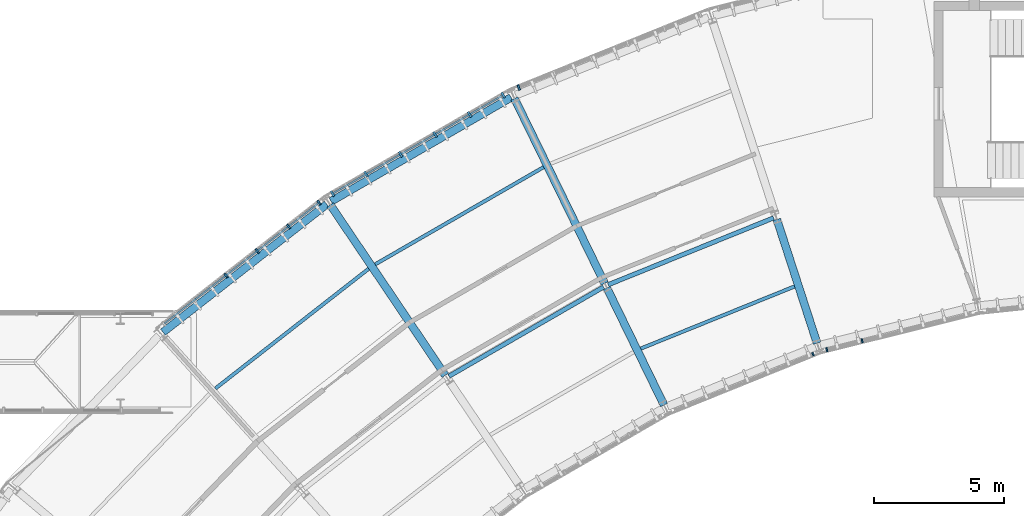
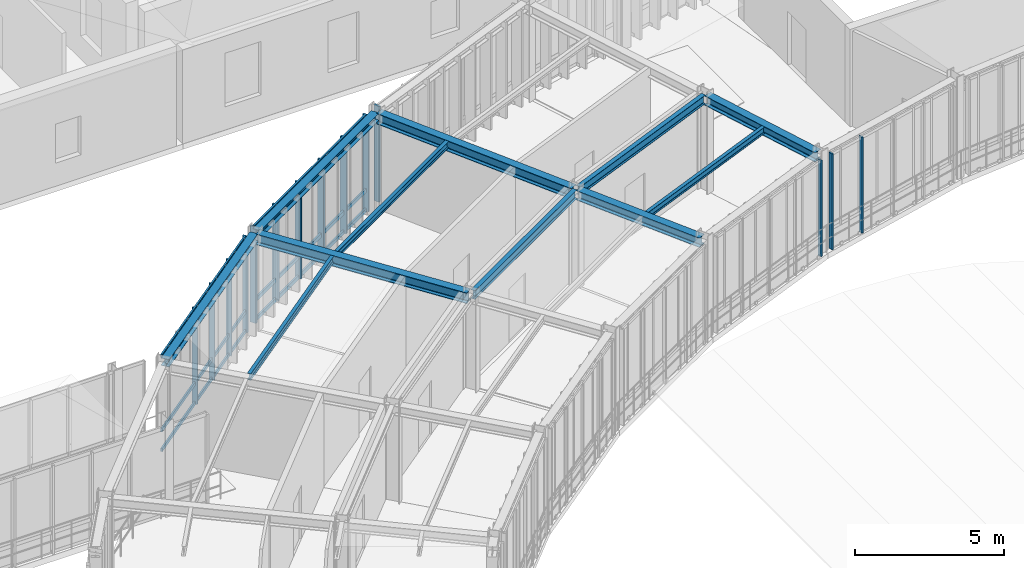
# One storey, part 22 of 57: 20 members, 11 beams, 5 elements without a shape of their own.
"""IFC4 building model written with IfcOpenShell, lengths in metres."""

from ifc_helpers import new_model, si_unit, direction, frame, origin, origin_2d, place, context, subcontext, project, spatial, rectangle, i_section, extrude, material, layer, layer_set, material_profile, profile_set, type_object, element, aggregate, save


model = new_model("IFC4")

# Units and contexts
model_context = context("Model", 3, precision=1e-05, world=origin(), true_north=direction((0.0, 1.0)))
body_context = subcontext(model_context, "Body", "Model", "MODEL_VIEW")
ifc_project = project(units=[si_unit("LENGTHUNIT", "METRE"), si_unit("AREAUNIT", "SQUARE_METRE"), si_unit("VOLUMEUNIT", "CUBIC_METRE"), si_unit("PLANEANGLEUNIT", "RADIAN"), si_unit("MASSUNIT", "GRAM", prefix="KILO"), si_unit("THERMODYNAMICTEMPERATUREUNIT", "KELVIN"), si_unit("POWERUNIT", "WATT")], contexts=[model_context])

# Site, building, storey
site_placement = place(None, origin())
site = spatial("IfcSite", under=ifc_project, at=site_placement, CompositionType="ELEMENT")
building_placement = place(site_placement, origin())
building = spatial("IfcBuilding", under=site, at=building_placement, Name="Solvatero Civic Police Headquarters", CompositionType="ELEMENT")
storey_placement = place(building_placement, frame((0.0, 0.0, 9.300048828125)))
storey = spatial("IfcBuildingStorey", under=building, at=storey_placement, Name="L02", CompositionType="ELEMENT", Elevation=9.300048828125)

# Beams
ifc_material_1 = material(Name="Steel S355", Category="steel")
ifc_material_profile_1 = material_profile(ifc_material_1, i_section(OverallWidth=0.300048828125, OverallDepth=0.31005859375, WebThickness=0.009033203125, FlangeThickness=0.015380859375, FilletRadius=0.027099609375, at=origin_2d()), Name="HEA 320")
ifc_profile_set_1 = profile_set([ifc_material_profile_1], Name="Steel S355")
beam_type_1 = type_object("IfcBeamType", Name="BM-ST-HEA320", PredefinedType="SPANDREL", material=ifc_profile_set_1)
for number, where, z_axis, x_axis, name in (
    (1, (68.202880859375, 78.664306640625, 3.844970703125), (-0.866028717572, -0.499994260308, 0.0), (0.499994260308, -0.866028717572, 0.0), "Perimeter / radial spandrel beam BM-R2-L02-ARC-COUT-B05"),
    (2, (61.12451171875, 74.5615234375, 3.844970703125), (-0.788008144593, -0.615664814696, 0.0), (0.615664814696, -0.788008144593, 0.0), "Perimeter / radial spandrel beam BM-R2-L02-ARC-COUT-B06"),
):
    element("IfcBeam", number, at=place(storey_placement, frame(where, z_axis=z_axis, x_axis=x_axis)), inside=storey, type_object=beam_type_1, Name=name, PredefinedType="SPANDREL", context=body_context, shape_type="SweptSolid", body=[
        extrude(i_section(OverallWidth=0.300048828125, OverallDepth=0.31005859375, WebThickness=0.009033203125, FlangeThickness=0.015380859375, FilletRadius=0.027099609375, at=origin_2d()), origin(), (0.0, 0.0, 1.0), 7.982421875),
    ])
ifc_material_profile_2 = material_profile(ifc_material_1, i_section(OverallWidth=0.300048828125, OverallDepth=0.389892578125, WebThickness=0.010986328125, FlangeThickness=0.01904296875, FilletRadius=0.027099609375, at=origin_2d()), Name="HEA 400")
ifc_profile_set_2 = profile_set([ifc_material_profile_2], Name="Steel S355")
beam_type_2 = type_object("IfcBeamType", Name="BM-ST-HEA400", PredefinedType="BEAM", material=ifc_profile_set_2)
beam_1_placement = place(storey_placement, frame((79.955078125, 69.2255859375, 3.804931640625), z_axis=(-0.308996636599, 0.951063130697, 0.0), x_axis=(-0.951063130697, -0.308996636599, 0.0)))
element("IfcBeam", 3, at=beam_1_placement, inside=storey, type_object=beam_type_2, Name="Primary girder BM-R2-L02-ARC-RAD1-S03", PredefinedType="BEAM", context=body_context, shape_type="SweptSolid", body=[
    extrude(i_section(OverallWidth=0.300048828125, OverallDepth=0.389892578125, WebThickness=0.010986328125, FlangeThickness=0.01904296875, FilletRadius=0.027099609375, at=origin_2d()), origin(), (0.0, 0.0, 1.0), 4.999755859375),
])
beam_2_placement = place(storey_placement, frame((74.076171875, 66.85009765625, 3.804931640625), z_axis=(-0.438422670017, 0.898768914914, 0.0), x_axis=(-0.898768914914, -0.438422670017, 0.0)))
element("IfcBeam", 4, at=beam_2_placement, inside=storey, type_object=beam_type_2, Name="Primary girder BM-R2-L02-ARC-RAD1-S04", PredefinedType="BEAM", context=body_context, shape_type="SweptSolid", body=[
    extrude(i_section(OverallWidth=0.300048828125, OverallDepth=0.389892578125, WebThickness=0.010986328125, FlangeThickness=0.01904296875, FilletRadius=0.027099609375, at=origin_2d()), origin(), (0.0, 0.0, 1.0), 5.0),
])
ifc_material_profile_3 = material_profile(ifc_material_1, i_section(OverallWidth=0.300048828125, OverallDepth=0.43994140625, WebThickness=0.011474609375, FlangeThickness=0.02099609375, FilletRadius=0.027099609375, at=origin_2d()), Name="HEA 450")
ifc_profile_set_3 = profile_set([ifc_material_profile_3], Name="Steel S355")
beam_type_3 = type_object("IfcBeamType", Name="BM-ST-HEA450", PredefinedType="BEAM", material=ifc_profile_set_3)
for number, where, z_axis, x_axis, name in (
    (5, (71.79638671875, 71.52392578125, 3.780029296875), (-0.438365789194, 0.898796659353, 0.0), (-0.898796659353, -0.438365789194, 0.0), "Primary girder BM-R2-L02-ARC-RAD2-S04"),
    (6, (65.677001953125, 67.99072265625, 3.780029296875), (-0.559192054274, 0.829038145345, 0.0), (-0.829038145345, -0.559192054274, 0.0), "Primary girder BM-R2-L02-ARC-RAD2-S05"),
):
    element("IfcBeam", number, at=place(storey_placement, frame(where, z_axis=z_axis, x_axis=x_axis)), inside=storey, type_object=beam_type_3, Name=name, PredefinedType="BEAM", context=body_context, shape_type="SweptSolid", body=[
        extrude(i_section(OverallWidth=0.300048828125, OverallDepth=0.43994140625, WebThickness=0.011474609375, FlangeThickness=0.02099609375, FilletRadius=0.027099609375, at=origin_2d()), origin(), (0.0, 0.0, 1.0), 7.900146484375),
    ])
ifc_material_profile_4 = material_profile(ifc_material_1, i_section(OverallWidth=0.135009765625, OverallDepth=0.27001953125, WebThickness=0.006591796875, FlangeThickness=0.01025390625, FilletRadius=0.014892578125, at=origin_2d()), Name="IPE 270")
ifc_profile_set_4 = profile_set([ifc_material_profile_4], Name="Steel S355")
beam_type_4 = type_object("IfcBeamType", Name="BM-ST-IPE270", PredefinedType="BEAM", material=ifc_profile_set_4)
beam_3_placement = place(storey_placement, frame((79.08984375, 71.404296875, 3.864990234375), z_axis=(-0.927180902573, -0.374613899774, 0.0), x_axis=(0.374613899774, -0.927180902573, 0.0)))
element("IfcBeam", 7, at=beam_3_placement, inside=storey, type_object=beam_type_4, Name="Composite floor beam BM-R2-L02-ARC-CS1-B04", PredefinedType="BEAM", context=body_context, shape_type="SweptSolid", body=[
    extrude(i_section(OverallWidth=0.135009765625, OverallDepth=0.27001953125, WebThickness=0.006591796875, FlangeThickness=0.01025390625, FilletRadius=0.014892578125, at=origin_2d()), origin(), (0.0, 0.0, 1.0), 6.36865234375),
])
for number, where, z_axis, x_axis, name in (
    (8, (69.452880859375, 75.98779296875, 3.864990234375), (-0.866030490612, -0.499991189252, 0.0), (0.499991189252, -0.866030490612, 0.0), "Composite floor beam BM-R2-L02-ARC-CS2-B05"),
    (9, (62.73486328125, 72.085205078125, 3.864990234375), (-0.78800951062, -0.615663066272, 0.0), (0.615663066272, -0.78800951062, 0.0), "Composite floor beam BM-R2-L02-ARC-CS2-B06"),
):
    element("IfcBeam", number, at=place(storey_placement, frame(where, z_axis=z_axis, x_axis=x_axis)), inside=storey, type_object=beam_type_4, Name=name, PredefinedType="BEAM", context=body_context, shape_type="SweptSolid", body=[
        extrude(i_section(OverallWidth=0.135009765625, OverallDepth=0.27001953125, WebThickness=0.006591796875, FlangeThickness=0.01025390625, FilletRadius=0.014892578125, at=origin_2d()), origin(), (0.0, 0.0, 1.0), 7.470947265625),
    ])
ifc_material_profile_5 = material_profile(ifc_material_1, i_section(OverallWidth=0.169921875, OverallDepth=0.360107421875, WebThickness=0.008056640625, FlangeThickness=0.0126953125, FilletRadius=0.01806640625, at=origin_2d()), Name="IPE 360")
ifc_profile_set_5 = profile_set([ifc_material_profile_5], Name="Steel S355")
beam_type_5 = type_object("IfcBeamType", Name="BM-ST-IPE360", PredefinedType="BEAM", material=ifc_profile_set_5)
beam_4_placement = place(storey_placement, frame((78.28662109375, 74.038330078125, 3.820068359375), z_axis=(-0.927188538339, -0.374595000465, 0.0), x_axis=(0.374595000465, -0.927188538339, 0.0)))
element("IfcBeam", 10, at=beam_4_placement, inside=storey, type_object=beam_type_5, Name="Composite floor beam BM-R2-L02-ARC-CMID-B04", PredefinedType="BEAM", context=body_context, shape_type="SweptSolid", body=[
    extrude(i_section(OverallWidth=0.169921875, OverallDepth=0.360107421875, WebThickness=0.008056640625, FlangeThickness=0.0126953125, FilletRadius=0.01806640625, at=origin_2d()), origin(), (0.0, 0.0, 1.0), 6.8525390625),
])
beam_5_placement = place(storey_placement, frame((71.753662109375, 71.384033203125, 3.820068359375), z_axis=(-0.866020050267, -0.50000927245, 0.0), x_axis=(0.50000927245, -0.866020050267, 0.0)))
element("IfcBeam", 11, at=beam_5_placement, inside=storey, type_object=beam_type_5, Name="Composite floor beam BM-R2-L02-ARC-CMID-B05", PredefinedType="BEAM", context=body_context, shape_type="SweptSolid", body=[
    extrude(i_section(OverallWidth=0.169921875, OverallDepth=0.360107421875, WebThickness=0.008056640625, FlangeThickness=0.0126953125, FilletRadius=0.01806640625, at=origin_2d()), origin(), (0.0, 0.0, 1.0), 6.852294921875),
])

# Curtain wall, members
ifc_material_2 = material(Name="Anodized Bronze Aluminium", Category="aluminium")
ifc_layer_1 = layer(ifc_material_2, 0.179931640625)
ifc_layer_set_1 = layer_set([ifc_layer_1], Name="Anodized Bronze Aluminium")
curtain_wall_type_1 = type_object("IfcCurtainWallType", Name="CW-ARC-OUT", PredefinedType="USERDEFINED", material=ifc_layer_set_1)
curtain_wall_1_placement = place(storey_placement, origin())
curtain_wall_1 = element("IfcCurtainWall", 12, at=curtain_wall_1_placement, inside=storey, type_object=curtain_wall_type_1, Name="Curtain Wall CW-R2-L02-ARC-OUT-B05", ObjectType="UNITISED", PredefinedType="USERDEFINED")
ifc_material_profile_6 = material_profile(ifc_material_2, rectangle(XDim=0.080078125, YDim=0.239990234375, at=origin_2d()), Name="ALU MULLION 80x240")
ifc_profile_set_6 = profile_set([ifc_material_profile_6], Name="Anodized Bronze Aluminium")
member_type_1 = type_object("IfcMemberType", Name="CWM-140x60", PredefinedType="MULLION", material=ifc_profile_set_6)
member_1_placement = place(storey_placement, frame((67.8984375, 78.75341796875, 0.0), z_axis=(0.0, 0.0, 1.0), x_axis=(-0.866025403784, -0.5, 0.0)))
member_1 = element("IfcMember", 13, at=member_1_placement, type_object=member_type_1, Name="CW-R2-L02-ARC-OUT-B05 Mullion 1", PredefinedType="MULLION", context=body_context, shape_type="SweptSolid", body=[
    extrude(rectangle(XDim=0.080078125, YDim=0.239990234375, at=origin_2d()), origin(), (0.0, 0.0, 1.0), 3.93994140625),
])
member_2_placement = place(storey_placement, frame((66.6083984375, 78.0087890625, 0.0), z_axis=(0.0, 0.0, 1.0), x_axis=(-0.866025403784, -0.5, 0.0)))
member_2 = element("IfcMember", 14, at=member_2_placement, type_object=member_type_1, Name="CW-R2-L02-ARC-OUT-B05 Mullion 2", PredefinedType="MULLION", context=body_context, shape_type="SweptSolid", body=[
    extrude(rectangle(XDim=0.080078125, YDim=0.239990234375, at=origin_2d()), origin(), (0.0, 0.0, 1.0), 3.93994140625),
])
member_3_placement = place(storey_placement, frame((65.283935546875, 77.243896484375, 0.0), z_axis=(0.0, 0.0, 1.0), x_axis=(-0.866025403784, -0.5, 0.0)))
member_3 = element("IfcMember", 15, at=member_3_placement, type_object=member_type_1, Name="CW-R2-L02-ARC-OUT-B05 Mullion 3", PredefinedType="MULLION", context=body_context, shape_type="SweptSolid", body=[
    extrude(rectangle(XDim=0.080078125, YDim=0.239990234375, at=origin_2d()), origin(), (0.0, 0.0, 1.0), 3.93994140625),
])
member_4_placement = place(storey_placement, frame((63.95947265625, 76.479248046875, 0.0), z_axis=(0.0, 0.0, 1.0), x_axis=(-0.866025403784, -0.5, 0.0)))
member_4 = element("IfcMember", 16, at=member_4_placement, type_object=member_type_1, Name="CW-R2-L02-ARC-OUT-B05 Mullion 4", PredefinedType="MULLION", context=body_context, shape_type="SweptSolid", body=[
    extrude(rectangle(XDim=0.080078125, YDim=0.239990234375, at=origin_2d()), origin(), (0.0, 0.0, 1.0), 3.93994140625),
])
member_5_placement = place(storey_placement, frame((62.635009765625, 75.714599609375, 0.0), z_axis=(0.0, 0.0, 1.0), x_axis=(-0.866025403784, -0.5, 0.0)))
member_5 = element("IfcMember", 17, at=member_5_placement, type_object=member_type_1, Name="CW-R2-L02-ARC-OUT-B05 Mullion 5", PredefinedType="MULLION", context=body_context, shape_type="SweptSolid", body=[
    extrude(rectangle(XDim=0.080078125, YDim=0.239990234375, at=origin_2d()), origin(), (0.0, 0.0, 1.0), 3.93994140625),
])
member_6_placement = place(storey_placement, frame((61.344970703125, 74.9697265625, 0.0), z_axis=(0.0, 0.0, 1.0), x_axis=(-0.866025403784, -0.5, 0.0)))
member_6 = element("IfcMember", 18, at=member_6_placement, type_object=member_type_1, Name="CW-R2-L02-ARC-OUT-B05 Mullion 6", PredefinedType="MULLION", context=body_context, shape_type="SweptSolid", body=[
    extrude(rectangle(XDim=0.080078125, YDim=0.239990234375, at=origin_2d()), origin(), (0.0, 0.0, 1.0), 3.93994140625),
])

# Curtain wall, member
ifc_layer_2 = layer(ifc_material_2, 0.179931640625)
ifc_layer_set_2 = layer_set([ifc_layer_2], Name="Anodized Bronze Aluminium")
curtain_wall_type_2 = type_object("IfcCurtainWallType", Name="CW-ARC-IN", PredefinedType="USERDEFINED", material=ifc_layer_set_2)
curtain_wall_2_placement = place(storey_placement, origin())
curtain_wall_2 = element("IfcCurtainWall", 19, at=curtain_wall_2_placement, inside=storey, type_object=curtain_wall_type_2, Name="Curtain Wall CW-R2-L02-ARC-IN-B04", ObjectType="UNITISED", PredefinedType="USERDEFINED")
ifc_material_profile_7 = material_profile(ifc_material_2, rectangle(XDim=0.06005859375, YDim=0.139892578125, at=origin_2d()), Name="ALU MULLION 60x140")
ifc_profile_set_7 = profile_set([ifc_material_profile_7], Name="Anodized Bronze Aluminium")
member_type_2 = type_object("IfcMemberType", Name="CWM-160x65", PredefinedType="MULLION", material=ifc_profile_set_7)
member_7_placement = place(storey_placement, frame((79.797607421875, 68.806884765625, 0.0), z_axis=(0.0, 0.0, 1.0), x_axis=(-0.927183854567, -0.374606593416, 0.0)))
member_7 = element("IfcMember", 20, at=member_7_placement, type_object=member_type_2, Name="CW-R2-L02-ARC-IN-B04 Mullion 1", PredefinedType="MULLION", context=body_context, shape_type="SweptSolid", body=[
    extrude(rectangle(XDim=0.06005859375, YDim=0.139892578125, at=origin_2d()), origin(), (0.0, 0.0, 1.0), 3.93994140625),
])
aggregate(curtain_wall_2, [member_7])

# Curtain wall, members
curtain_wall_3_placement = place(storey_placement, origin())
curtain_wall_3 = element("IfcCurtainWall", 21, at=curtain_wall_3_placement, inside=storey, type_object=curtain_wall_type_2, Name="Curtain Wall CW-R2-L02-ARC-IN-B03", ObjectType="UNITISED", PredefinedType="USERDEFINED")
ifc_material_profile_8 = material_profile(ifc_material_2, rectangle(XDim=0.06005859375, YDim=0.159912109375, at=origin_2d()), Name="ALU MULLION 60x160")
ifc_profile_set_8 = profile_set([ifc_material_profile_8], Name="Anodized Bronze Aluminium")
member_type_3 = type_object("IfcMemberType", Name="CWM-180x70", PredefinedType="MULLION", material=ifc_profile_set_8)
member_8_placement = place(storey_placement, frame((81.686279296875, 69.31787109375, 0.0), z_axis=(0.0, 0.0, 1.0), x_axis=(-0.970295726276, -0.2419218956, 0.0)))
member_8 = element("IfcMember", 22, at=member_8_placement, type_object=member_type_3, Name="CW-R2-L02-ARC-IN-B03 Mullion 4", PredefinedType="MULLION", context=body_context, shape_type="SweptSolid", body=[
    extrude(rectangle(XDim=0.06005859375, YDim=0.159912109375, at=origin_2d()), origin(), (0.0, 0.0, 1.0), 3.93994140625),
])
member_9_placement = place(storey_placement, frame((80.328857421875, 68.9794921875, 0.0), z_axis=(0.0, 0.0, 1.0), x_axis=(-0.970295726276, -0.2419218956, 0.0)))
member_9 = element("IfcMember", 23, at=member_9_placement, type_object=member_type_3, Name="CW-R2-L02-ARC-IN-B03 Mullion 5", PredefinedType="MULLION", context=body_context, shape_type="SweptSolid", body=[
    extrude(rectangle(XDim=0.06005859375, YDim=0.159912109375, at=origin_2d()), origin(), (0.0, 0.0, 1.0), 3.93994140625),
])
aggregate(curtain_wall_3, [member_8, member_9])

curtain_wall_4_placement = place(storey_placement, origin())
curtain_wall_4 = element("IfcCurtainWall", 24, at=curtain_wall_4_placement, inside=storey, type_object=curtain_wall_type_1, Name="Curtain Wall CW-R2-L02-ARC-OUT-B06", ObjectType="UNITISED", PredefinedType="USERDEFINED")
ifc_material_profile_9 = material_profile(ifc_material_2, rectangle(XDim=0.070068359375, YDim=0.199951171875, at=origin_2d()), Name="ALU MULLION 70x200")
ifc_profile_set_9 = profile_set([ifc_material_profile_9], Name="Anodized Bronze Aluminium")
member_type_4 = type_object("IfcMemberType", Name="CWM-220x80", PredefinedType="MULLION", material=ifc_profile_set_9)
member_10_placement = place(storey_placement, frame((60.828857421875, 74.62158203125, 0.0), z_axis=(0.0, 0.0, 1.0), x_axis=(-0.788021498807, -0.61564772185, 0.0)))
member_10 = element("IfcMember", 25, at=member_10_placement, type_object=member_type_4, Name="CW-R2-L02-ARC-OUT-B06 Mullion 1", PredefinedType="MULLION", context=body_context, shape_type="SweptSolid", body=[
    extrude(rectangle(XDim=0.070068359375, YDim=0.199951171875, at=origin_2d()), origin(), (0.0, 0.0, 1.0), 3.93994140625),
])
member_11_placement = place(storey_placement, frame((59.656982421875, 73.705810546875, 0.0), z_axis=(0.0, 0.0, 1.0), x_axis=(-0.788021498807, -0.61564772185, 0.0)))
member_11 = element("IfcMember", 26, at=member_11_placement, type_object=member_type_4, Name="CW-R2-L02-ARC-OUT-B06 Mullion 2", PredefinedType="MULLION", context=body_context, shape_type="SweptSolid", body=[
    extrude(rectangle(XDim=0.070068359375, YDim=0.199951171875, at=origin_2d()), origin(), (0.0, 0.0, 1.0), 3.93994140625),
])
member_12_placement = place(storey_placement, frame((58.453369140625, 72.765625, 0.0), z_axis=(0.0, 0.0, 1.0), x_axis=(-0.788021498807, -0.61564772185, 0.0)))
member_12 = element("IfcMember", 27, at=member_12_placement, type_object=member_type_4, Name="CW-R2-L02-ARC-OUT-B06 Mullion 3", PredefinedType="MULLION", context=body_context, shape_type="SweptSolid", body=[
    extrude(rectangle(XDim=0.070068359375, YDim=0.199951171875, at=origin_2d()), origin(), (0.0, 0.0, 1.0), 3.93994140625),
])
member_13_placement = place(storey_placement, frame((57.249755859375, 71.8251953125, 0.0), z_axis=(0.0, 0.0, 1.0), x_axis=(-0.788021498807, -0.61564772185, 0.0)))
member_13 = element("IfcMember", 28, at=member_13_placement, type_object=member_type_4, Name="CW-R2-L02-ARC-OUT-B06 Mullion 4", PredefinedType="MULLION", context=body_context, shape_type="SweptSolid", body=[
    extrude(rectangle(XDim=0.070068359375, YDim=0.199951171875, at=origin_2d()), origin(), (0.0, 0.0, 1.0), 3.93994140625),
])

# Curtain wall, member
curtain_wall_5_placement = place(storey_placement, origin())
curtain_wall_5 = element("IfcCurtainWall", 29, at=curtain_wall_5_placement, inside=storey, type_object=curtain_wall_type_1, Name="Curtain Wall CW-R2-L02-ARC-OUT-B04", ObjectType="UNITISED", PredefinedType="USERDEFINED")
ifc_material_profile_10 = material_profile(ifc_material_2, rectangle(XDim=0.074951171875, YDim=0.219970703125, at=origin_2d()), Name="ALU MULLION 75x220")
ifc_profile_set_10 = profile_set([ifc_material_profile_10], Name="Anodized Bronze Aluminium")
member_type_5 = type_object("IfcMemberType", Name="CWM-250x85", PredefinedType="MULLION", material=ifc_profile_set_10)
member_14_placement = place(storey_placement, frame((68.499267578125, 79.04638671875, 0.0), z_axis=(0.0, 0.0, 1.0), x_axis=(-0.927183854567, -0.374606593416, 0.0)))
member_14 = element("IfcMember", 30, at=member_14_placement, type_object=member_type_5, Name="CW-R2-L02-ARC-OUT-B04 Mullion 6", PredefinedType="MULLION", context=body_context, shape_type="SweptSolid", body=[
    extrude(rectangle(XDim=0.074951171875, YDim=0.219970703125, at=origin_2d()), origin(), (0.0, 0.0, 1.0), 3.93994140625),
])
aggregate(curtain_wall_5, [member_14])

# Member
ifc_material_profile_11 = material_profile(ifc_material_2, rectangle(XDim=0.070068359375, YDim=0.159912109375, at=origin_2d()), Name="ALU TRANSOM 70x160")
ifc_profile_set_11 = profile_set([ifc_material_profile_11], Name="Anodized Bronze Aluminium")
member_type_6 = type_object("IfcMemberType", Name="CWT-120x55", PredefinedType="USERDEFINED", material=ifc_profile_set_11)
member_15_placement = place(storey_placement, frame((67.889892578125, 78.748291015625, 0.0400390625), z_axis=(-0.866044995461, -0.499966064686, 0.0), x_axis=(0.499966064686, -0.866044995461, 0.0)))
member_15 = element("IfcMember", 31, at=member_15_placement, type_object=member_type_6, Name="CW-R2-L02-ARC-OUT-B05 Transom 1", ObjectType="TRANSOM", PredefinedType="USERDEFINED", context=body_context, shape_type="SweptSolid", body=[
    extrude(rectangle(XDim=0.070068359375, YDim=0.159912109375, at=origin_2d()), origin(), (0.0, 0.0, 1.0), 7.54736328125),
])

member_16_placement = place(storey_placement, frame((67.889892578125, 78.748291015625, 0.849853515625), z_axis=(-0.866044995461, -0.499966064686, 0.0), x_axis=(0.499966064686, -0.866044995461, 0.0)))
member_16 = element("IfcMember", 32, at=member_16_placement, type_object=member_type_6, Name="CW-R2-L02-ARC-OUT-B05 Transom 2", ObjectType="TRANSOM", PredefinedType="USERDEFINED", context=body_context, shape_type="SweptSolid", body=[
    extrude(rectangle(XDim=0.070068359375, YDim=0.159912109375, at=origin_2d()), origin(), (0.0, 0.0, 1.0), 7.54736328125),
])

member_17_placement = place(storey_placement, frame((67.889892578125, 78.748291015625, 3.89990234375), z_axis=(-0.866044995461, -0.499966064686, 0.0), x_axis=(0.499966064686, -0.866044995461, 0.0)))
member_17 = element("IfcMember", 33, at=member_17_placement, type_object=member_type_6, Name="CW-R2-L02-ARC-OUT-B05 Transom 3", ObjectType="TRANSOM", PredefinedType="USERDEFINED", context=body_context, shape_type="SweptSolid", body=[
    extrude(rectangle(XDim=0.070068359375, YDim=0.159912109375, at=origin_2d()), origin(), (0.0, 0.0, 1.0), 7.54736328125),
])

aggregate(curtain_wall_1, [member_1, member_2, member_3, member_4, member_5, member_6, member_15, member_16, member_17])

ifc_material_profile_12 = material_profile(ifc_material_2, rectangle(XDim=0.06494140625, YDim=0.139892578125, at=origin_2d()), Name="ALU TRANSOM 65x140")
ifc_profile_set_12 = profile_set([ifc_material_profile_12], Name="Anodized Bronze Aluminium")
member_type_7 = type_object("IfcMemberType", Name="CWT-180x70", PredefinedType="USERDEFINED", material=ifc_profile_set_12)
member_18_placement = place(storey_placement, frame((60.821044921875, 74.615478515625, 0.0400390625), z_axis=(-0.788019462522, -0.615650328259, 0.0), x_axis=(0.615650328259, -0.788019462522, 0.0)))
member_18 = element("IfcMember", 34, at=member_18_placement, type_object=member_type_7, Name="CW-R2-L02-ARC-OUT-B06 Transom 1", ObjectType="TRANSOM", PredefinedType="USERDEFINED", context=body_context, shape_type="SweptSolid", body=[
    extrude(rectangle(XDim=0.06494140625, YDim=0.139892578125, at=origin_2d()), origin(), (0.0, 0.0, 1.0), 7.53662109375),
])

member_19_placement = place(storey_placement, frame((60.821044921875, 74.615478515625, 0.849853515625), z_axis=(-0.788019462522, -0.615650328259, 0.0), x_axis=(0.615650328259, -0.788019462522, 0.0)))
member_19 = element("IfcMember", 35, at=member_19_placement, type_object=member_type_7, Name="CW-R2-L02-ARC-OUT-B06 Transom 2", ObjectType="TRANSOM", PredefinedType="USERDEFINED", context=body_context, shape_type="SweptSolid", body=[
    extrude(rectangle(XDim=0.06494140625, YDim=0.139892578125, at=origin_2d()), origin(), (0.0, 0.0, 1.0), 7.53662109375),
])

member_20_placement = place(storey_placement, frame((60.821044921875, 74.615478515625, 3.89990234375), z_axis=(-0.788019462522, -0.615650328259, 0.0), x_axis=(0.615650328259, -0.788019462522, 0.0)))
member_20 = element("IfcMember", 36, at=member_20_placement, type_object=member_type_7, Name="CW-R2-L02-ARC-OUT-B06 Transom 3", ObjectType="TRANSOM", PredefinedType="USERDEFINED", context=body_context, shape_type="SweptSolid", body=[
    extrude(rectangle(XDim=0.06494140625, YDim=0.139892578125, at=origin_2d()), origin(), (0.0, 0.0, 1.0), 7.53662109375),
])

aggregate(curtain_wall_4, [member_10, member_11, member_12, member_13, member_18, member_19, member_20])

save(model, "model.ifc")
